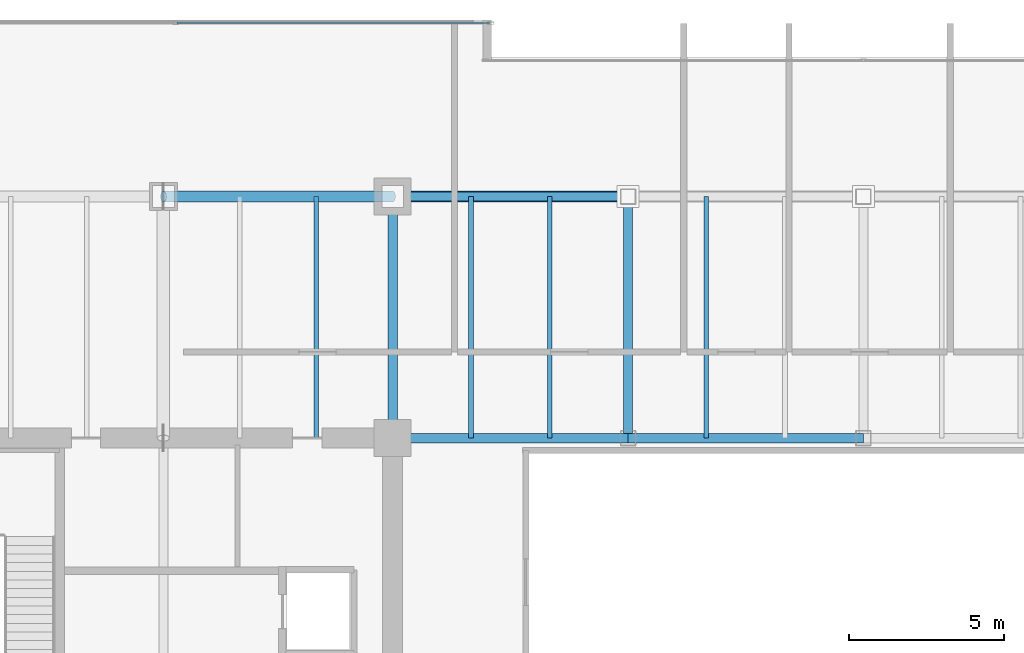
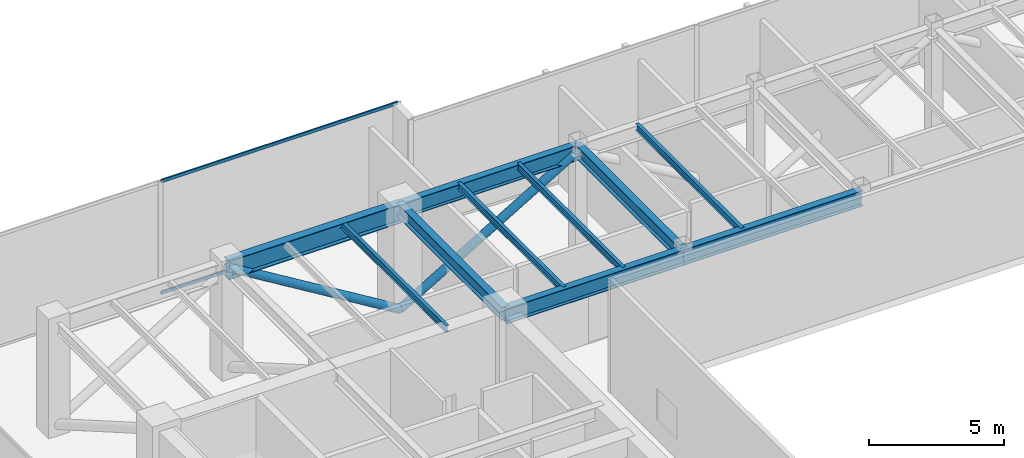
# One storey, part 15 of 34: 10 beams, 4 members, 1 element without a shape of its own.
"""IFC4 building model written with IfcOpenShell, lengths in metres."""

from ifc_helpers import new_model, si_unit, direction, frame, origin, origin_2d, place, context, subcontext, project, spatial, hollow_rectangle, hollow_circle, i_section, extrude, source, transform, mapped, material, layer, layer_set, material_profile, profile_set, type_object, type_shapes, element, aggregate, save


model = new_model("IFC4")

# Units and contexts
model_context = context("Model", 3, precision=1e-05, world=origin(), true_north=direction((0.0, 1.0)))
body_context = subcontext(model_context, "Body", "Model", "MODEL_VIEW")
ifc_project = project(units=[si_unit("LENGTHUNIT", "METRE"), si_unit("AREAUNIT", "SQUARE_METRE"), si_unit("VOLUMEUNIT", "CUBIC_METRE"), si_unit("PLANEANGLEUNIT", "RADIAN"), si_unit("MASSUNIT", "GRAM", prefix="KILO")], contexts=[model_context])

# Site, building, storey
site_placement = place(None, origin())
site = spatial("IfcSite", under=ifc_project, at=site_placement, CompositionType="ELEMENT")
building_placement = place(site_placement, origin())
building = spatial("IfcBuilding", under=site, at=building_placement, Name="Haelvirn Gate Laboratories", CompositionType="ELEMENT")
storey_placement = place(building_placement, frame((0.0, 0.0, 191.199951171875)))
storey = spatial("IfcBuildingStorey", under=building, at=storey_placement, Name="L46", CompositionType="ELEMENT", Elevation=191.199951171875)

# Beams
ifc_material_1 = material(Name="Steel SM420", Category="steel")
ifc_material_profile_1 = material_profile(ifc_material_1, i_section(OverallWidth=0.35009765625, OverallDepth=0.85009765625, WebThickness=0.01611328125, FlangeThickness=0.028076171875, at=origin_2d()), Name="H-850x350x16x28")
ifc_profile_set_1 = profile_set([ifc_material_profile_1], Name="Steel SM420")
beam_type_1 = type_object("IfcBeamType", Name="BM-AG-850", PredefinedType="BEAM", material=ifc_profile_set_1)
shared_shape_1 = source(origin(), body_context, "Body", "SweptSolid", [
    extrude(i_section(OverallWidth=0.35009765625, OverallDepth=0.85009765625, WebThickness=0.01611328125, FlangeThickness=0.028076171875, at=origin_2d()), origin(), (0.0, 0.0, 1.0), 7.39990234375),
])
type_shapes(beam_type_1, [shared_shape_1])
beam_1_placement = place(storey_placement, frame((14.800048828125, 41.60009765625, 4.675048828125), z_axis=(1.0, 0.0, 0.0), x_axis=(0.0, 1.0, 0.0)))
element("IfcBeam", 1, at=beam_1_placement, inside=storey, type_object=beam_type_1, Name="L46 Primary Girder Y41.6 (14.8-22.2)", PredefinedType="BEAM", context=body_context, shape_type="MappedRepresentation", body=[
    mapped(shared_shape_1, transform((0.0, 0.0, 0.0), scale=1.0)),
])
ifc_material_2 = material(Name="Steel SM355", Category="steel")
ifc_material_profile_2 = material_profile(ifc_material_2, i_section(OverallWidth=0.300048828125, OverallDepth=0.699951171875, WebThickness=0.012939453125, FlangeThickness=0.02392578125, at=origin_2d()), Name="H-700x300x13x24")
ifc_profile_set_2 = profile_set([ifc_material_profile_2], Name="Steel SM355")
beam_type_2 = type_object("IfcBeamType", Name="BM-G-700", PredefinedType="BEAM", material=ifc_profile_set_2)
shared_shape_2 = source(origin(), body_context, "Body", "SweptSolid", [
    extrude(i_section(OverallWidth=0.300048828125, OverallDepth=0.699951171875, WebThickness=0.012939453125, FlangeThickness=0.02392578125, at=origin_2d()), origin(), (0.0, 0.0, 1.0), 7.60009765625),
])
for number, where, z_axis, x_axis, name in (
    (2, (22.199951171875, 33.800048828125, 4.75), (1.0, 0.0, 0.0), (0.0, 1.0, 0.0), "L46 Primary Girder Y33.8 (22.2-29.8)"),
    (3, (22.199951171875, 41.60009765625, 4.75), (1.0, 0.0, 0.0), (0.0, 1.0, 0.0), "L46 Primary Girder Y41.6 (22.2-29.8)"),
):
    element("IfcBeam", number, at=place(storey_placement, frame(where, z_axis=z_axis, x_axis=x_axis)), inside=storey, type_object=beam_type_2, Name=name, PredefinedType="BEAM", context=body_context, shape_type="MappedRepresentation", body=[
        mapped(shared_shape_2, transform((0.0, 0.0, 0.0), scale=1.0)),
    ])
shared_shape_3 = source(origin(), body_context, "Body", "SweptSolid", [
    extrude(i_section(OverallWidth=0.300048828125, OverallDepth=0.699951171875, WebThickness=0.012939453125, FlangeThickness=0.02392578125, at=origin_2d()), origin(), (0.0, 0.0, 1.0), 7.599853515625),
])
type_shapes(beam_type_2, [shared_shape_2, shared_shape_3])
beam_2_placement = place(storey_placement, frame((29.800048828125, 33.800048828125, 4.75), z_axis=(1.0, 0.0, 0.0), x_axis=(0.0, 1.0, 0.0)))
element("IfcBeam", 4, at=beam_2_placement, inside=storey, type_object=beam_type_2, Name="L46 Primary Girder Y33.8 (29.8-37.4)", PredefinedType="BEAM", context=body_context, shape_type="MappedRepresentation", body=[
    mapped(shared_shape_3, transform((0.0, 0.0, 0.0), scale=1.0)),
])
ifc_material_profile_3 = material_profile(ifc_material_2, i_section(OverallWidth=0.14990234375, OverallDepth=0.300048828125, WebThickness=0.006591796875, FlangeThickness=0.009033203125, at=origin_2d()), Name="H-300x150x6.5x9")
ifc_profile_set_3 = profile_set([ifc_material_profile_3], Name="Steel SM355")
beam_type_3 = type_object("IfcBeamType", Name="BM-J-300", PredefinedType="JOIST", material=ifc_profile_set_3)
shared_shape_4 = source(origin(), body_context, "Body", "SweptSolid", [
    extrude(i_section(OverallWidth=0.14990234375, OverallDepth=0.300048828125, WebThickness=0.006591796875, FlangeThickness=0.009033203125, at=origin_2d()), origin(), (0.0, 0.0, 1.0), 7.800048828125),
])
type_shapes(beam_type_3, [shared_shape_4])
for number, where, z_axis, x_axis, name in (
    (5, (19.72998046875, 33.800048828125, 4.949951171875), (0.0, 1.0, 0.0), (-1.0, 0.0, 0.0), "L46 Composite Lab Joist North X19.73"),
    (6, (24.72998046875, 33.800048828125, 4.949951171875), (0.0, 1.0, 0.0), (-1.0, 0.0, 0.0), "L46 Composite Lab Joist North X24.73"),
    (7, (27.27001953125, 33.800048828125, 4.949951171875), (0.0, 1.0, 0.0), (-1.0, 0.0, 0.0), "L46 Composite Lab Joist North X27.27"),
    (8, (32.330078125, 33.800048828125, 4.949951171875), (0.0, 1.0, 0.0), (-1.0, 0.0, 0.0), "L46 Composite Lab Joist North X32.33"),
):
    element("IfcBeam", number, at=place(storey_placement, frame(where, z_axis=z_axis, x_axis=x_axis)), inside=storey, type_object=beam_type_3, Name=name, PredefinedType="JOIST", context=body_context, shape_type="MappedRepresentation", body=[
        mapped(shared_shape_4, transform((0.0, 0.0, 0.0), scale=1.0)),
    ])
ifc_material_profile_4 = material_profile(ifc_material_2, i_section(OverallWidth=0.300048828125, OverallDepth=0.587890625, WebThickness=0.011962890625, FlangeThickness=0.02001953125, at=origin_2d()), Name="H-588x300x12x20")
ifc_profile_set_4 = profile_set([ifc_material_profile_4], Name="Steel SM355")
beam_type_4 = type_object("IfcBeamType", Name="BM-G-588", PredefinedType="BEAM", material=ifc_profile_set_4)
shared_shape_5 = source(origin(), body_context, "Body", "SweptSolid", [
    extrude(i_section(OverallWidth=0.300048828125, OverallDepth=0.587890625, WebThickness=0.011962890625, FlangeThickness=0.02001953125, at=origin_2d()), origin(), (0.0, 0.0, 1.0), 7.800048828125),
])
type_shapes(beam_type_4, [shared_shape_5])
for number, where, z_axis, x_axis, name in (
    (9, (22.199951171875, 33.800048828125, 4.80615234375), (0.0, 1.0, 0.0), (-1.0, 0.0, 0.0), "L46 Frame Girder X22.2 (33.8-41.6)"),
    (10, (29.800048828125, 33.800048828125, 4.80615234375), (0.0, 1.0, 0.0), (-1.0, 0.0, 0.0), "L46 Frame Girder X29.8 (33.8-41.6)"),
):
    element("IfcBeam", number, at=place(storey_placement, frame(where, z_axis=z_axis, x_axis=x_axis)), inside=storey, type_object=beam_type_4, Name=name, PredefinedType="BEAM", context=body_context, shape_type="MappedRepresentation", body=[
        mapped(shared_shape_5, transform((0.0, 0.0, 0.0), scale=1.0)),
    ])

# Members
ifc_material_profile_5 = material_profile(ifc_material_2, hollow_circle(Radius=0.177734375, WallThickness=0.013916015625, at=origin_2d()), Name="CHS-355x14")
ifc_profile_set_5 = profile_set([ifc_material_profile_5], Name="Steel SM355")
member_type_1 = type_object("IfcMemberType", Name="MEM-BELT-1", PredefinedType="STRUT", material=ifc_profile_set_5)
shared_shape_6 = source(origin(), body_context, "Body", "SweptSolid", [
    extrude(hollow_circle(Radius=0.177734375, WallThickness=0.013916015625, at=origin_2d()), origin(), (0.0, 0.0, 1.0), 8.66064453125),
])
member_1_placement = place(storey_placement, frame((14.800048828125, 41.60009765625, 4.75), z_axis=(0.854418394814, 0.0, -0.519585610466), x_axis=(0.0, 1.0, 0.0)))
element("IfcMember", 11, at=member_1_placement, inside=storey, type_object=member_type_1, Name="L46 Perimeter Belt Truss N2", PredefinedType="STRUT", context=body_context, shape_type="MappedRepresentation", body=[
    mapped(shared_shape_6, transform((0.0, 0.0, 0.0), scale=1.0)),
])
shared_shape_7 = source(origin(), body_context, "Body", "SweptSolid", [
    extrude(hollow_circle(Radius=0.177734375, WallThickness=0.013916015625, at=origin_2d()), origin(), (0.0, 0.0, 1.0), 8.83251953125),
])
type_shapes(member_type_1, [shared_shape_6, shared_shape_7])
member_2_placement = place(storey_placement, frame((22.199951171875, 41.60009765625, 0.25), z_axis=(0.860478259115, 0.0, 0.509487159397), x_axis=(0.0, 1.0, 0.0)))
element("IfcMember", 12, at=member_2_placement, inside=storey, type_object=member_type_1, Name="L46 Perimeter Belt Truss N3", PredefinedType="STRUT", context=body_context, shape_type="MappedRepresentation", body=[
    mapped(shared_shape_7, transform((0.0, 0.0, 0.0), scale=1.0)),
])

# Curtain wall, members
ifc_material_3 = material(Name="Anodised bronze unitised aluminium & triple low-E glass", Category="aluminium")
ifc_layer = layer(ifc_material_3, 0.179931640625, Name="CW-SYS-3")
ifc_layer_set = layer_set([ifc_layer], Name="Anodised bronze unitised aluminium & triple low-E glass")
curtain_wall_type = type_object("IfcCurtainWallType", Name="CW-SYS-3", PredefinedType="NOTDEFINED", material=ifc_layer_set)
curtain_wall_placement = place(storey_placement, origin())
curtain_wall = element("IfcCurtainWall", 13, at=curtain_wall_placement, inside=storey, type_object=curtain_wall_type, Name="L46 Unitised Curtain Wall CW-L46-P0-E14-1", PredefinedType="NOTDEFINED")
ifc_material_4 = material(Name="Extruded aluminium 6063-T6 (anodised bronze)", Category="aluminium")
ifc_material_profile_6 = material_profile(ifc_material_4, hollow_rectangle(XDim=0.06494140625, YDim=0.139892578125, WallThickness=0.00390625, at=origin_2d()), Name="CWT-140x65x4")
ifc_profile_set_6 = profile_set([ifc_material_profile_6], Name="Extruded aluminium 6063-T6 (anodised bronze)")
member_type_2 = type_object("IfcMemberType", Name="CWT-T140", PredefinedType="USERDEFINED", material=ifc_profile_set_6)
shared_shape_8 = source(origin(), body_context, "Body", "SweptSolid", [
    extrude(hollow_rectangle(XDim=0.06494140625, YDim=0.139892578125, WallThickness=0.00390625, at=origin_2d()), origin(), (0.0, 0.0, 1.0), 10.08740234375),
])
type_shapes(member_type_2, [shared_shape_8])
member_3_placement = place(storey_placement, frame((15.237548828125, 47.199951171875, 0.032470703125), z_axis=(1.0, 0.0, 0.0), x_axis=(0.0, 1.0, 0.0)))
member_3 = element("IfcMember", 14, at=member_3_placement, type_object=member_type_2, Name="CW3 transom 2.1", ObjectType="TRANSOM", PredefinedType="USERDEFINED", context=body_context, shape_type="MappedRepresentation", body=[
    mapped(shared_shape_8, transform((0.0, 0.0, 0.0), scale=1.0)),
])
member_4_placement = place(storey_placement, frame((15.237548828125, 47.199951171875, 5.067626953125), z_axis=(1.0, 0.0, 0.0), x_axis=(0.0, 1.0, 0.0)))
member_4 = element("IfcMember", 15, at=member_4_placement, type_object=member_type_2, Name="CW3 transom 2.2", ObjectType="TRANSOM", PredefinedType="USERDEFINED", context=body_context, shape_type="MappedRepresentation", body=[
    mapped(shared_shape_8, transform((0.0, 0.0, 0.0), scale=1.0)),
])
aggregate(curtain_wall, [member_3, member_4])

save(model, "model.ifc")
